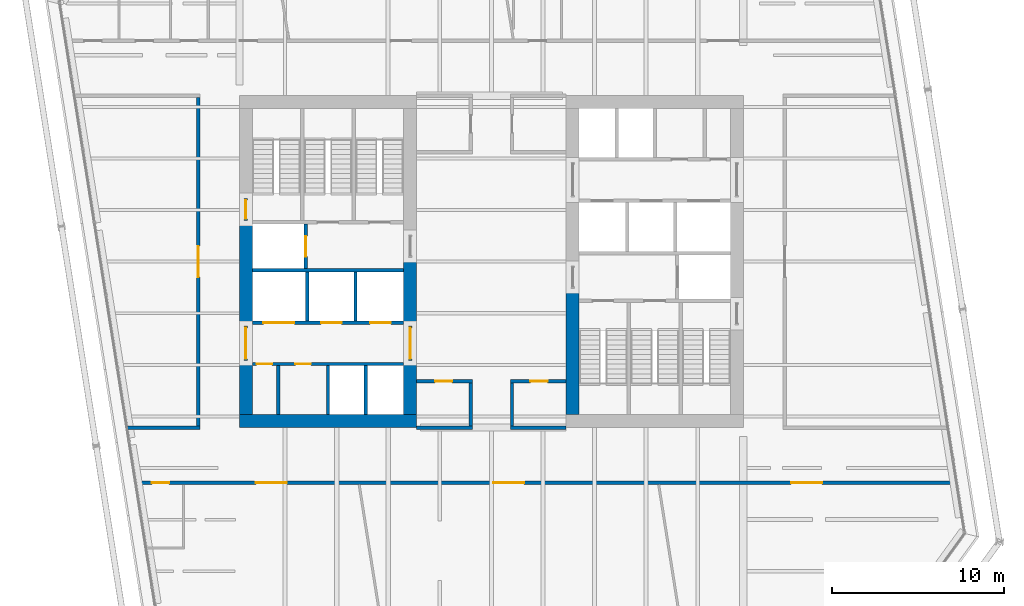
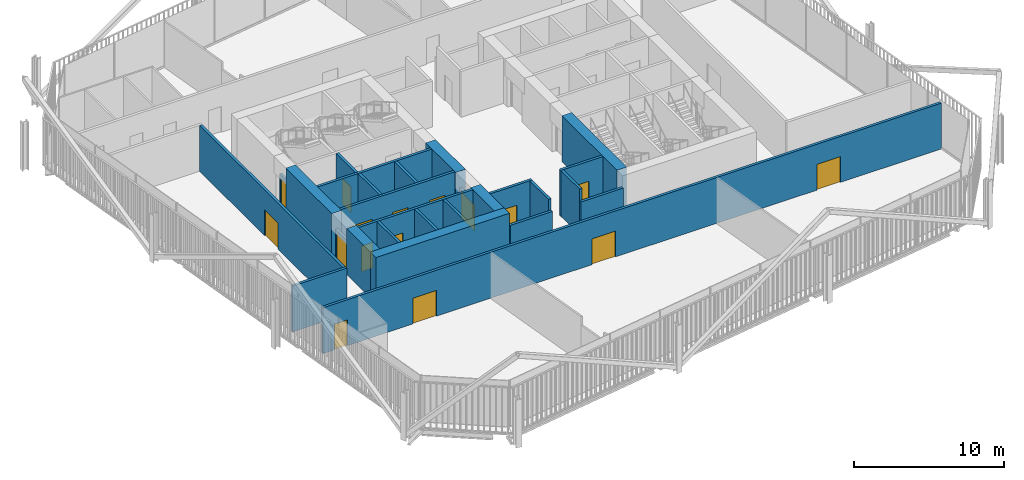
# One storey, part 15 of 19: 27 walls, 16 doors, 16 openings.
"""IFC4 building model written with IfcOpenShell, lengths in metres."""

from ifc_helpers import new_model, si_unit, direction, frame, frame_2d, origin, place, context, subcontext, project, spatial, rectangle, extrude, material, layer, layer_set, type_object, element, fill, save


model = new_model("IFC4")

# Units and contexts
model_context = context("Model", 3, precision=1e-05, world=origin(), true_north=direction((0.0, 1.0)))
body_context = subcontext(model_context, "Body", "Model", "MODEL_VIEW")
ifc_project = project(units=[si_unit("LENGTHUNIT", "METRE"), si_unit("AREAUNIT", "SQUARE_METRE"), si_unit("VOLUMEUNIT", "CUBIC_METRE"), si_unit("PLANEANGLEUNIT", "RADIAN"), si_unit("MASSUNIT", "GRAM", prefix="KILO")], contexts=[model_context])

# Site, building, storey
site_placement = place(None, origin())
site = spatial("IfcSite", under=ifc_project, at=site_placement, CompositionType="ELEMENT")
building_placement = place(site_placement, origin())
building = spatial("IfcBuilding", under=site, at=building_placement, Name="Millrace Tower", CompositionType="ELEMENT")
storey_placement = place(building_placement, frame((0.0, 0.0, 129.5)))
storey = spatial("IfcBuildingStorey", under=building, at=storey_placement, Name="L28", CompositionType="ELEMENT", Elevation=129.5)

# Walls
ifc_material_1 = material(Name="Concrete C70", Category="concrete")
ifc_layer_1 = layer(ifc_material_1, 0.75)
ifc_layer_set_1 = layer_set([ifc_layer_1], Name="Concrete C70")
wall_type_1 = type_object("IfcWallType", Name="Core wall 750 Concrete C70", PredefinedType="SHEAR", material=ifc_layer_set_1)
wall_1_placement = place(storey_placement, frame((-14.64990234375, -9.27490234375, 0.0), z_axis=(0.0, 0.0, 1.0), x_axis=(1.0, 0.0, 0.0)))
element("IfcWall", 1, at=wall_1_placement, inside=storey, type_object=wall_type_1, Name="Core wall W L28", PredefinedType="SHEAR", context=body_context, shape_type="SweptSolid", body=[
    extrude(rectangle(XDim=10.2998046875, YDim=0.75, at=frame_2d((5.14990234375, 0.0))), origin(), (0.0, 0.0, 1.0), 3.739990234375),
])
wall_2_placement = place(storey_placement, frame((-14.27490234375, -8.89990234375, 0.0), z_axis=(0.0, 0.0, 1.0), x_axis=(0.0, 1.0, 0.0)))
element("IfcWall", 2, at=wall_2_placement, inside=storey, type_object=wall_type_1, Name="Core wall W L28", PredefinedType="SHEAR", context=body_context, shape_type="SweptSolid", body=[
    extrude(rectangle(XDim=3.14990234375, YDim=0.75, at=frame_2d((1.574951171875, 0.0))), origin(), (0.0, 0.0, 1.0), 3.739990234375),
])
wall_3_placement = place(storey_placement, frame((-14.27490234375, -3.75, 0.0), z_axis=(0.0, 0.0, 1.0), x_axis=(0.0, 1.0, 0.0)))
element("IfcWall", 3, at=wall_3_placement, inside=storey, type_object=wall_type_1, Name="Core wall W L28", PredefinedType="SHEAR", context=body_context, shape_type="SweptSolid", body=[
    extrude(rectangle(XDim=6.1298828125, YDim=0.75, at=frame_2d((3.06494140625, 0.0))), origin(), (0.0, 0.0, 1.0), 3.739990234375),
])
wall_4_placement = place(storey_placement, frame((-4.72509765625, -8.89990234375, 0.0), z_axis=(0.0, 0.0, 1.0), x_axis=(0.0, 1.0, 0.0)))
element("IfcWall", 4, at=wall_4_placement, inside=storey, type_object=wall_type_1, Name="Core wall W L28", PredefinedType="SHEAR", context=body_context, shape_type="SweptSolid", body=[
    extrude(rectangle(XDim=3.14990234375, YDim=0.75, at=frame_2d((1.574951171875, 0.0))), origin(), (0.0, 0.0, 1.0), 3.739990234375),
])
wall_5_placement = place(storey_placement, frame((-4.72509765625, -3.75, 0.0), z_axis=(0.0, 0.0, 1.0), x_axis=(0.0, 1.0, 0.0)))
element("IfcWall", 5, at=wall_5_placement, inside=storey, type_object=wall_type_1, Name="Core wall W L28", PredefinedType="SHEAR", context=body_context, shape_type="SweptSolid", body=[
    extrude(rectangle(XDim=4.0, YDim=0.75, at=frame_2d((2.0, 0.0))), origin(), (0.0, 0.0, 1.0), 3.739990234375),
])
wall_6_placement = place(storey_placement, frame((4.72509765625, -1.550048828125, 0.0), z_axis=(0.0, 0.0, 1.0), x_axis=(0.0, -1.0, 0.0)))
element("IfcWall", 6, at=wall_6_placement, inside=storey, type_object=wall_type_1, Name="Core wall E L28", PredefinedType="SHEAR", context=body_context, shape_type="SweptSolid", body=[
    extrude(rectangle(XDim=7.349853515625, YDim=0.75, at=frame_2d((3.6748046875, 0.0))), origin(), (0.0, 0.0, 1.0), 3.739990234375),
])

# Wall, openings, doors
ifc_material_2 = material(Name="Masonry partition, fire-rated", Category="masonry")
ifc_layer_2 = layer(ifc_material_2, 0.199951171875)
ifc_layer_set_2 = layer_set([ifc_layer_2], Name="Masonry partition, fire-rated")
wall_type_2 = type_object("IfcWallType", Name="Corridor wall 200", PredefinedType="PARTITIONING", material=ifc_layer_set_2)
wall_7_placement = place(storey_placement, frame((-20.6435546875, -12.85009765625, 0.0), z_axis=(0.0, 0.0, 1.0), x_axis=(1.0, 0.0, 0.0)))
wall_7 = element("IfcWall", 7, at=wall_7_placement, inside=storey, type_object=wall_type_2, Name="Corridor wall L28", PredefinedType="PARTITIONING", context=body_context, shape_type="SweptSolid", body=[
    extrude(rectangle(XDim=47.646728515625, YDim=0.199951171875, at=frame_2d((23.8232421875, 0.0))), origin(), (0.0, 0.0, 1.0), 3.739990234375),
])
opening_1_placement = place(wall_7_placement, frame((6.945068359375, 0.0, 0.0)))
opening_1 = element("IfcOpeningElement", 8, at=opening_1_placement, cuts=wall_7, Name="Opening 28-P013", PredefinedType="OPENING", context=body_context, shape_type="SweptSolid", body=[
    extrude(rectangle(XDim=1.800048828125, YDim=2.10009765625, at=frame_2d((0.89990234375, 1.050048828125))), frame((0.0, 0.10986328125, 0.0), z_axis=(0.0, -1.0, 0.0), x_axis=(1.0, 0.0, 0.0)), (0.0, 0.0, 1.0), 0.219970703125),
])
opening_2_placement = place(wall_7_placement, frame((0.900390625, 0.0, 0.0)))
opening_2 = element("IfcOpeningElement", 9, at=opening_2_placement, cuts=wall_7, Name="Opening 28-P014", PredefinedType="OPENING", context=body_context, shape_type="SweptSolid", body=[
    extrude(rectangle(XDim=1.0, YDim=2.10009765625, at=frame_2d((0.5, 1.050048828125))), frame((0.0, 0.10986328125, 0.0), z_axis=(0.0, -1.0, 0.0), x_axis=(1.0, 0.0, 0.0)), (0.0, 0.0, 1.0), 0.219970703125),
])
opening_3_placement = place(wall_7_placement, frame((20.74658203125, 0.0, 0.0)))
opening_3 = element("IfcOpeningElement", 10, at=opening_3_placement, cuts=wall_7, Name="Opening 28-P015", PredefinedType="OPENING", context=body_context, shape_type="SweptSolid", body=[
    extrude(rectangle(XDim=1.800048828125, YDim=2.10009765625, at=frame_2d((0.89990234375, 1.050048828125))), frame((0.0, 0.10986328125, 0.0), z_axis=(0.0, -1.0, 0.0), x_axis=(1.0, 0.0, 0.0)), (0.0, 0.0, 1.0), 0.219970703125),
])
opening_4_placement = place(wall_7_placement, frame((38.074462890625, 0.0, 0.0)))
opening_4 = element("IfcOpeningElement", 11, at=opening_4_placement, cuts=wall_7, Name="Opening 28-P016", PredefinedType="OPENING", context=body_context, shape_type="SweptSolid", body=[
    extrude(rectangle(XDim=1.800048828125, YDim=2.10009765625, at=frame_2d((0.89990234375, 1.050048828125))), frame((0.0, 0.10986328125, 0.0), z_axis=(0.0, -1.0, 0.0), x_axis=(1.0, 0.0, 0.0)), (0.0, 0.0, 1.0), 0.219970703125),
])
ifc_material_3 = material(Name="Steel door set, fire-rated", Category="steel")
door_type_1 = type_object("IfcDoorType", Name="Corridor door 1000 x 2100", OperationType="SINGLE_SWING_LEFT", PredefinedType="DOOR", material=ifc_material_3)
door_1_placement = place(opening_2_placement, frame((1.0, 0.0, 0.0), z_axis=(0.0, 0.0, 1.0), x_axis=(-1.0, 0.0, 0.0)))
door_1 = element("IfcDoor", 12, at=door_1_placement, inside=storey, type_object=door_type_1, Name="Door 28-P014", OperationType="SINGLE_SWING_RIGHT", OverallHeight=2.10009765625, OverallWidth=1.0, PredefinedType="DOOR", context=body_context, shape_type="SweptSolid", body=[
    extrude(rectangle(XDim=1.0, YDim=2.10009765625, at=frame_2d((0.5, 1.050048828125))), frame((0.0, 0.02490234375, 0.0), z_axis=(0.0, -1.0, 0.0), x_axis=(1.0, 0.0, 0.0)), (0.0, 0.0, 1.0), 0.050048828125),
])
fill(opening_2, door_1)
ifc_material_4 = material(Name="Steel door set, fire-rated", Category="steel")
door_type_2 = type_object("IfcDoorType", Name="Corridor door 1800 x 2100", OperationType="DOUBLE_DOOR_SINGLE_SWING", PredefinedType="DOOR", material=ifc_material_4)
door_2_placement = place(opening_1_placement, origin())
door_2 = element("IfcDoor", 13, at=door_2_placement, inside=storey, type_object=door_type_2, Name="Door 28-P013", OperationType="DOUBLE_DOOR_SINGLE_SWING", OverallHeight=2.10009765625, OverallWidth=1.800048828125, PredefinedType="DOOR", context=body_context, shape_type="SweptSolid", body=[
    extrude(rectangle(XDim=1.800048828125, YDim=2.10009765625, at=frame_2d((0.89990234375, 1.050048828125))), frame((0.0, 0.02490234375, 0.0), z_axis=(0.0, -1.0, 0.0), x_axis=(1.0, 0.0, 0.0)), (0.0, 0.0, 1.0), 0.050048828125),
])
fill(opening_1, door_2)
door_3_placement = place(opening_3_placement, origin())
door_3 = element("IfcDoor", 14, at=door_3_placement, inside=storey, type_object=door_type_2, Name="Door 28-P015", OperationType="DOUBLE_DOOR_SINGLE_SWING", OverallHeight=2.10009765625, OverallWidth=1.800048828125, PredefinedType="DOOR", context=body_context, shape_type="SweptSolid", body=[
    extrude(rectangle(XDim=1.800048828125, YDim=2.10009765625, at=frame_2d((0.89990234375, 1.050048828125))), frame((0.0, 0.02490234375, 0.0), z_axis=(0.0, -1.0, 0.0), x_axis=(1.0, 0.0, 0.0)), (0.0, 0.0, 1.0), 0.050048828125),
])
fill(opening_3, door_3)
door_4_placement = place(opening_4_placement, frame((1.800048828125, 0.0, 0.0), z_axis=(0.0, 0.0, 1.0), x_axis=(-1.0, 0.0, 0.0)))
door_4 = element("IfcDoor", 15, at=door_4_placement, inside=storey, type_object=door_type_2, Name="Door 28-P016", OperationType="DOUBLE_DOOR_SINGLE_SWING", OverallHeight=2.10009765625, OverallWidth=1.800048828125, PredefinedType="DOOR", context=body_context, shape_type="SweptSolid", body=[
    extrude(rectangle(XDim=1.800048828125, YDim=2.10009765625, at=frame_2d((0.89990234375, 1.050048828125))), frame((0.0, 0.02490234375, 0.0), z_axis=(0.0, -1.0, 0.0), x_axis=(1.0, 0.0, 0.0)), (0.0, 0.0, 1.0), 0.050048828125),
])
fill(opening_4, door_4)

# Walls
wall_8_placement = place(storey_placement, frame((-21.150390625, -9.64990234375, 0.0), z_axis=(0.0, 0.0, 1.0), x_axis=(1.0, 0.0, 0.0)))
element("IfcWall", 16, at=wall_8_placement, inside=storey, type_object=wall_type_2, Name="Corridor wall L28", PredefinedType="PARTITIONING", context=body_context, shape_type="SweptSolid", body=[
    extrude(rectangle(XDim=4.200439453125, YDim=0.199951171875, at=frame_2d((2.10009765625, 0.0))), origin(), (0.0, 0.0, 1.0), 3.739990234375),
])
for number, where, z_axis, x_axis, name in (
    (17, (-4.35009765625, -9.64990234375, 0.0), (0.0, 0.0, 1.0), (1.0, 0.0, 0.0), "Corridor wall L28"),
    (18, (1.10009765625, -9.64990234375, 0.0), (0.0, 0.0, 1.0), (1.0, 0.0, 0.0), "Corridor wall L28"),
):
    element("IfcWall", number, at=place(storey_placement, frame(where, z_axis=z_axis, x_axis=x_axis)), inside=storey, type_object=wall_type_2, Name=name, PredefinedType="PARTITIONING", context=body_context, shape_type="SweptSolid", body=[
        extrude(rectangle(XDim=3.25, YDim=0.199951171875, at=frame_2d((1.625, 0.0))), origin(), (0.0, 0.0, 1.0), 2.81298828125),
    ])

# Wall, opening, door
wall_9_placement = place(storey_placement, frame((-4.35009765625, -6.949951171875, 0.0), z_axis=(0.0, 0.0, 1.0), x_axis=(1.0, 0.0, 0.0)))
wall_9 = element("IfcWall", 19, at=wall_9_placement, inside=storey, type_object=wall_type_2, Name="Corridor wall L28", PredefinedType="PARTITIONING", context=body_context, shape_type="SweptSolid", body=[
    extrude(rectangle(XDim=3.25, YDim=0.199951171875, at=frame_2d((1.625, 0.0))), origin(), (0.0, 0.0, 1.0), 3.739990234375),
])
opening_5_placement = place(wall_9_placement, frame((1.074951171875, 0.0, 0.0)))
opening_5 = element("IfcOpeningElement", 20, at=opening_5_placement, cuts=wall_9, Name="Opening 28-P003", PredefinedType="OPENING", context=body_context, shape_type="SweptSolid", body=[
    extrude(rectangle(XDim=1.0, YDim=2.10009765625, at=frame_2d((0.5, 1.050048828125))), frame((0.0, 0.10986328125, 0.0), z_axis=(0.0, -1.0, 0.0), x_axis=(1.0, 0.0, 0.0)), (0.0, 0.0, 1.0), 0.219970703125),
])
door_5_placement = place(opening_5_placement, frame((1.0, 0.0, 0.0), z_axis=(0.0, 0.0, 1.0), x_axis=(-1.0, 0.0, 0.0)))
door_5 = element("IfcDoor", 21, at=door_5_placement, inside=storey, type_object=door_type_1, Name="Door 28-P003", OperationType="SINGLE_SWING_LEFT", OverallHeight=2.10009765625, OverallWidth=1.0, PredefinedType="DOOR", context=body_context, shape_type="SweptSolid", body=[
    extrude(rectangle(XDim=1.0, YDim=2.10009765625, at=frame_2d((0.5, 1.050048828125))), frame((0.0, 0.02490234375, 0.0), z_axis=(0.0, -1.0, 0.0), x_axis=(1.0, 0.0, 0.0)), (0.0, 0.0, 1.0), 0.050048828125),
])
fill(opening_5, door_5)

wall_10_placement = place(storey_placement, frame((1.10009765625, -6.949951171875, 0.0), z_axis=(0.0, 0.0, 1.0), x_axis=(1.0, 0.0, 0.0)))
wall_10 = element("IfcWall", 22, at=wall_10_placement, inside=storey, type_object=wall_type_2, Name="Corridor wall L28", PredefinedType="PARTITIONING", context=body_context, shape_type="SweptSolid", body=[
    extrude(rectangle(XDim=3.25, YDim=0.199951171875, at=frame_2d((1.625, 0.0))), origin(), (0.0, 0.0, 1.0), 3.739990234375),
])
opening_6_placement = place(wall_10_placement, frame((1.175048828125, 0.0, 0.0)))
opening_6 = element("IfcOpeningElement", 23, at=opening_6_placement, cuts=wall_10, Name="Opening 28-P004", PredefinedType="OPENING", context=body_context, shape_type="SweptSolid", body=[
    extrude(rectangle(XDim=1.0, YDim=2.10009765625, at=frame_2d((0.5, 1.050048828125))), frame((0.0, 0.10986328125, 0.0), z_axis=(0.0, -1.0, 0.0), x_axis=(1.0, 0.0, 0.0)), (0.0, 0.0, 1.0), 0.219970703125),
])
door_6_placement = place(opening_6_placement, frame((1.0, 0.0, 0.0), z_axis=(0.0, 0.0, 1.0), x_axis=(-1.0, 0.0, 0.0)))
door_6 = element("IfcDoor", 24, at=door_6_placement, inside=storey, type_object=door_type_1, Name="Door 28-P004", OperationType="SINGLE_SWING_LEFT", OverallHeight=2.10009765625, OverallWidth=1.0, PredefinedType="DOOR", context=body_context, shape_type="SweptSolid", body=[
    extrude(rectangle(XDim=1.0, YDim=2.10009765625, at=frame_2d((0.5, 1.050048828125))), frame((0.0, 0.02490234375, 0.0), z_axis=(0.0, -1.0, 0.0), x_axis=(1.0, 0.0, 0.0)), (0.0, 0.0, 1.0), 0.050048828125),
])
fill(opening_6, door_6)

# Walls
for number, where, z_axis, x_axis, name in (
    (25, (1.199951171875, -9.550048828125, 0.0), (0.0, 0.0, 1.0), (0.0, 1.0, 0.0), "Corridor wall L28"),
    (26, (-1.199951171875, -9.550048828125, 0.0), (0.0, 0.0, 1.0), (0.0, 1.0, 0.0), "Corridor wall L28"),
):
    element("IfcWall", number, at=place(storey_placement, frame(where, z_axis=z_axis, x_axis=x_axis)), inside=storey, type_object=wall_type_2, Name=name, PredefinedType="PARTITIONING", context=body_context, shape_type="SweptSolid", body=[
        extrude(rectangle(XDim=2.5, YDim=0.199951171875, at=frame_2d((1.25, 0.0))), origin(), (0.0, 0.0, 1.0), 3.739990234375),
    ])

# Wall, opening, door
wall_11_placement = place(storey_placement, frame((-17.050048828125, -9.550048828125, 0.0), z_axis=(0.0, 0.0, 1.0), x_axis=(0.0, 1.0, 0.0)))
wall_11 = element("IfcWall", 27, at=wall_11_placement, inside=storey, type_object=wall_type_2, Name="Corridor wall L28", PredefinedType="PARTITIONING", context=body_context, shape_type="SweptSolid", body=[
    extrude(rectangle(XDim=19.10009765625, YDim=0.199951171875, at=frame_2d((9.550048828125, 0.0))), origin(), (0.0, 0.0, 1.0), 3.739990234375),
])
opening_7_placement = place(wall_11_placement, frame((8.64990234375, 0.0, 0.0)))
opening_7 = element("IfcOpeningElement", 28, at=opening_7_placement, cuts=wall_11, Name="Opening 28-P017", PredefinedType="OPENING", context=body_context, shape_type="SweptSolid", body=[
    extrude(rectangle(XDim=1.800048828125, YDim=2.10009765625, at=frame_2d((0.89990234375, 1.050048828125))), frame((0.0, 0.10986328125, 0.0), z_axis=(0.0, -1.0, 0.0), x_axis=(1.0, 0.0, 0.0)), (0.0, 0.0, 1.0), 0.219970703125),
])
door_7_placement = place(opening_7_placement, origin())
door_7 = element("IfcDoor", 29, at=door_7_placement, inside=storey, type_object=door_type_2, Name="Door 28-P017", OperationType="DOUBLE_DOOR_SINGLE_SWING", OverallHeight=2.10009765625, OverallWidth=1.800048828125, PredefinedType="DOOR", context=body_context, shape_type="SweptSolid", body=[
    extrude(rectangle(XDim=1.800048828125, YDim=2.10009765625, at=frame_2d((0.89990234375, 1.050048828125))), frame((0.0, 0.02490234375, 0.0), z_axis=(0.0, -1.0, 0.0), x_axis=(1.0, 0.0, 0.0)), (0.0, 0.0, 1.0), 0.050048828125),
])
fill(opening_7, door_7)

# Wall, openings, doors
ifc_material_5 = material(Name="Masonry partition, fire-rated", Category="masonry")
ifc_layer_3 = layer(ifc_material_5, 0.199951171875)
ifc_layer_set_3 = layer_set([ifc_layer_3], Name="Masonry partition, fire-rated")
wall_type_3 = type_object("IfcWallType", Name="Lift shaft wall 200", PredefinedType="PARTITIONING", material=ifc_layer_set_3)
wall_12_placement = place(storey_placement, frame((-13.89990234375, -5.949951171875, 0.0), z_axis=(0.0, 0.0, 1.0), x_axis=(1.0, 0.0, 0.0)))
wall_12 = element("IfcWall", 30, at=wall_12_placement, inside=storey, type_object=wall_type_3, Name="Lift shaft wall W L28", PredefinedType="PARTITIONING", context=body_context, shape_type="SweptSolid", body=[
    extrude(rectangle(XDim=8.7998046875, YDim=0.199951171875, at=frame_2d((4.39990234375, 0.0))), origin(), (0.0, 0.0, 1.0), 3.739990234375),
])
opening_8_placement = place(wall_12_placement, frame((0.25244140625, 0.0, 0.0)))
opening_8 = element("IfcOpeningElement", 31, at=opening_8_placement, cuts=wall_12, Name="Opening 28-C005", PredefinedType="OPENING", context=body_context, shape_type="SweptSolid", body=[
    extrude(rectangle(XDim=0.89990234375, YDim=2.10009765625, at=frame_2d((0.449951171875, 1.050048828125))), frame((0.0, 0.10986328125, 0.0), z_axis=(0.0, -1.0, 0.0), x_axis=(1.0, 0.0, 0.0)), (0.0, 0.0, 1.0), 0.219970703125),
])
opening_9_placement = place(wall_12_placement, frame((2.50244140625, 0.0, 0.0)))
opening_9 = element("IfcOpeningElement", 32, at=opening_9_placement, cuts=wall_12, Name="Opening 28-C006", PredefinedType="OPENING", context=body_context, shape_type="SweptSolid", body=[
    extrude(rectangle(XDim=0.89990234375, YDim=2.10009765625, at=frame_2d((0.449951171875, 1.050048828125))), frame((0.0, 0.10986328125, 0.0), z_axis=(0.0, -1.0, 0.0), x_axis=(1.0, 0.0, 0.0)), (0.0, 0.0, 1.0), 0.219970703125),
])
ifc_material_6 = material(Name="Steel door, fire-rated", Category="steel")
door_type_3 = type_object("IfcDoorType", Name="Service room door 900 x 2100", OperationType="SINGLE_SWING_LEFT", PredefinedType="DOOR", material=ifc_material_6)
door_8_placement = place(opening_8_placement, frame((0.89990234375, 0.0, 0.0), z_axis=(0.0, 0.0, 1.0), x_axis=(-1.0, 0.0, 0.0)))
door_8 = element("IfcDoor", 33, at=door_8_placement, inside=storey, type_object=door_type_3, Name="Service room door 28-C005", OperationType="SINGLE_SWING_RIGHT", OverallHeight=2.10009765625, OverallWidth=0.89990234375, PredefinedType="DOOR", context=body_context, shape_type="SweptSolid", body=[
    extrude(rectangle(XDim=0.89990234375, YDim=2.10009765625, at=frame_2d((0.449951171875, 1.050048828125))), frame((0.0, 0.02490234375, 0.0), z_axis=(0.0, -1.0, 0.0), x_axis=(1.0, 0.0, 0.0)), (0.0, 0.0, 1.0), 0.050048828125),
])
fill(opening_8, door_8)
door_9_placement = place(opening_9_placement, frame((0.89990234375, 0.0, 0.0), z_axis=(0.0, 0.0, 1.0), x_axis=(-1.0, 0.0, 0.0)))
door_9 = element("IfcDoor", 34, at=door_9_placement, inside=storey, type_object=door_type_3, Name="Service room door 28-C006", OperationType="SINGLE_SWING_RIGHT", OverallHeight=2.10009765625, OverallWidth=0.89990234375, PredefinedType="DOOR", context=body_context, shape_type="SweptSolid", body=[
    extrude(rectangle(XDim=0.89990234375, YDim=2.10009765625, at=frame_2d((0.449951171875, 1.050048828125))), frame((0.0, 0.02490234375, 0.0), z_axis=(0.0, -1.0, 0.0), x_axis=(1.0, 0.0, 0.0)), (0.0, 0.0, 1.0), 0.050048828125),
])
fill(opening_9, door_9)

wall_13_placement = place(storey_placement, frame((-13.89990234375, -3.550048828125, 0.0), z_axis=(0.0, 0.0, 1.0), x_axis=(1.0, 0.0, 0.0)))
wall_13 = element("IfcWall", 35, at=wall_13_placement, inside=storey, type_object=wall_type_3, Name="Lift shaft wall W L28", PredefinedType="PARTITIONING", context=body_context, shape_type="SweptSolid", body=[
    extrude(rectangle(XDim=8.7998046875, YDim=0.199951171875, at=frame_2d((4.39990234375, 0.0))), origin(), (0.0, 0.0, 1.0), 3.739990234375),
])
opening_10_placement = place(wall_13_placement, frame((0.64990234375, 0.0, 0.0)))
opening_10 = element("IfcOpeningElement", 36, at=opening_10_placement, cuts=wall_13, Name="Opening 28-LD05", PredefinedType="OPENING", context=body_context, shape_type="SweptSolid", body=[
    extrude(rectangle(XDim=1.800048828125, YDim=2.10009765625, at=frame_2d((0.89990234375, 1.050048828125))), frame((0.0, 0.10986328125, 0.0), z_axis=(0.0, -1.0, 0.0), x_axis=(1.0, 0.0, 0.0)), (0.0, 0.0, 1.0), 0.219970703125),
])
opening_11_placement = place(wall_13_placement, frame((4.0, 0.0, 0.0)))
opening_11 = element("IfcOpeningElement", 37, at=opening_11_placement, cuts=wall_13, Name="Opening 28-LD06", PredefinedType="OPENING", context=body_context, shape_type="SweptSolid", body=[
    extrude(rectangle(XDim=1.199951171875, YDim=2.10009765625, at=frame_2d((0.60009765625, 1.050048828125))), frame((0.0, 0.10986328125, 0.0), z_axis=(0.0, -1.0, 0.0), x_axis=(1.0, 0.0, 0.0)), (0.0, 0.0, 1.0), 0.219970703125),
])
opening_12_placement = place(wall_13_placement, frame((6.85009765625, 0.0, 0.0)))
opening_12 = element("IfcOpeningElement", 38, at=opening_12_placement, cuts=wall_13, Name="Opening 28-LD07", PredefinedType="OPENING", context=body_context, shape_type="SweptSolid", body=[
    extrude(rectangle(XDim=1.199951171875, YDim=2.10009765625, at=frame_2d((0.60009765625, 1.050048828125))), frame((0.0, 0.10986328125, 0.0), z_axis=(0.0, -1.0, 0.0), x_axis=(1.0, 0.0, 0.0)), (0.0, 0.0, 1.0), 0.219970703125),
])
ifc_material_7 = material(Name="Stainless steel, fire-rated", Category="steel")
door_type_4 = type_object("IfcDoorType", Name="Lift landing door 1200 x 2100", OperationType="DOUBLE_DOOR_SLIDING", PredefinedType="DOOR", material=ifc_material_7)
door_10_placement = place(opening_11_placement, origin())
door_10 = element("IfcDoor", 39, at=door_10_placement, inside=storey, type_object=door_type_4, Name="Lift landing door LF6 L28", OperationType="DOUBLE_DOOR_SLIDING", OverallHeight=2.10009765625, OverallWidth=1.199951171875, PredefinedType="DOOR", context=body_context, shape_type="SweptSolid", body=[
    extrude(rectangle(XDim=1.199951171875, YDim=2.10009765625, at=frame_2d((0.60009765625, 1.050048828125))), frame((0.0, 0.02490234375, 0.0), z_axis=(0.0, -1.0, 0.0), x_axis=(1.0, 0.0, 0.0)), (0.0, 0.0, 1.0), 0.050048828125),
])
fill(opening_11, door_10)
door_11_placement = place(opening_12_placement, origin())
door_11 = element("IfcDoor", 40, at=door_11_placement, inside=storey, type_object=door_type_4, Name="Lift landing door LF7 L28", OperationType="DOUBLE_DOOR_SLIDING", OverallHeight=2.10009765625, OverallWidth=1.199951171875, PredefinedType="DOOR", context=body_context, shape_type="SweptSolid", body=[
    extrude(rectangle(XDim=1.199951171875, YDim=2.10009765625, at=frame_2d((0.60009765625, 1.050048828125))), frame((0.0, 0.02490234375, 0.0), z_axis=(0.0, -1.0, 0.0), x_axis=(1.0, 0.0, 0.0)), (0.0, 0.0, 1.0), 0.050048828125),
])
fill(opening_12, door_11)
ifc_material_8 = material(Name="Stainless steel, fire-rated", Category="steel")
door_type_5 = type_object("IfcDoorType", Name="Lift landing door 1800 x 2100", OperationType="DOUBLE_DOOR_SLIDING", PredefinedType="DOOR", material=ifc_material_8)
door_12_placement = place(opening_10_placement, origin())
door_12 = element("IfcDoor", 41, at=door_12_placement, inside=storey, type_object=door_type_5, Name="Lift landing door LF5 L28", OperationType="DOUBLE_DOOR_SLIDING", OverallHeight=2.10009765625, OverallWidth=1.800048828125, PredefinedType="DOOR", context=body_context, shape_type="SweptSolid", body=[
    extrude(rectangle(XDim=1.800048828125, YDim=2.10009765625, at=frame_2d((0.89990234375, 1.050048828125))), frame((0.0, 0.02490234375, 0.0), z_axis=(0.0, -1.0, 0.0), x_axis=(1.0, 0.0, 0.0)), (0.0, 0.0, 1.0), 0.050048828125),
])
fill(opening_10, door_12)

# Wall
wall_14_placement = place(storey_placement, frame((-13.89990234375, -0.5, 0.0), z_axis=(0.0, 0.0, 1.0), x_axis=(1.0, 0.0, 0.0)))
element("IfcWall", 42, at=wall_14_placement, inside=storey, type_object=wall_type_3, Name="Lift shaft wall W L28", PredefinedType="PARTITIONING", context=body_context, shape_type="SweptSolid", body=[
    extrude(rectangle(XDim=8.7998046875, YDim=0.199951171875, at=frame_2d((4.39990234375, 0.0))), origin(), (0.0, 0.0, 1.0), 3.739990234375),
])

# Wall, opening, door
wall_15_placement = place(storey_placement, frame((-10.800048828125, -0.39990234375, 0.0), z_axis=(0.0, 0.0, 1.0), x_axis=(0.0, 1.0, 0.0)))
wall_15 = element("IfcWall", 43, at=wall_15_placement, inside=storey, type_object=wall_type_3, Name="Lift shaft wall W L28", PredefinedType="PARTITIONING", context=body_context, shape_type="SweptSolid", body=[
    extrude(rectangle(XDim=2.579833984375, YDim=0.199951171875, at=frame_2d((1.2900390625, 0.0))), origin(), (0.0, 0.0, 1.0), 3.739990234375),
])
opening_13_placement = place(wall_15_placement, frame((0.68994140625, 0.0, 0.0)))
opening_13 = element("IfcOpeningElement", 44, at=opening_13_placement, cuts=wall_15, Name="Opening 28-LD08", PredefinedType="OPENING", context=body_context, shape_type="SweptSolid", body=[
    extrude(rectangle(XDim=1.199951171875, YDim=2.10009765625, at=frame_2d((0.60009765625, 1.050048828125))), frame((0.0, 0.10986328125, 0.0), z_axis=(0.0, -1.0, 0.0), x_axis=(1.0, 0.0, 0.0)), (0.0, 0.0, 1.0), 0.219970703125),
])
door_13_placement = place(opening_13_placement, origin())
door_13 = element("IfcDoor", 45, at=door_13_placement, inside=storey, type_object=door_type_4, Name="Lift landing door LF8 L28", OperationType="DOUBLE_DOOR_SLIDING", OverallHeight=2.10009765625, OverallWidth=1.199951171875, PredefinedType="DOOR", context=body_context, shape_type="SweptSolid", body=[
    extrude(rectangle(XDim=1.199951171875, YDim=2.10009765625, at=frame_2d((0.60009765625, 1.050048828125))), frame((0.0, 0.02490234375, 0.0), z_axis=(0.0, -1.0, 0.0), x_axis=(1.0, 0.0, 0.0)), (0.0, 0.0, 1.0), 0.050048828125),
])
fill(opening_13, door_13)

# Walls
for number, where, z_axis, x_axis, name in (
    (46, (-9.5, -8.89990234375, 0.0), (0.0, 0.0, 1.0), (0.0, 1.0, 0.0), "Lift shaft wall W L28"),
    (47, (-7.300048828125, -8.89990234375, 0.0), (0.0, 0.0, 1.0), (0.0, 1.0, 0.0), "Lift shaft wall W L28"),
    (48, (-10.699951171875, -3.449951171875, 0.0), (0.0, 0.0, 1.0), (0.0, 1.0, 0.0), "Lift shaft wall W L28"),
    (49, (-7.89990234375, -3.449951171875, 0.0), (0.0, 0.0, 1.0), (0.0, 1.0, 0.0), "Lift shaft wall W L28"),
):
    element("IfcWall", number, at=place(storey_placement, frame(where, z_axis=z_axis, x_axis=x_axis)), inside=storey, type_object=wall_type_3, Name=name, PredefinedType="PARTITIONING", context=body_context, shape_type="SweptSolid", body=[
        extrude(rectangle(XDim=2.849853515625, YDim=0.199951171875, at=frame_2d((1.4248046875, 0.0))), origin(), (0.0, 0.0, 1.0), 3.739990234375),
    ])

# Wall, opening, door
ifc_material_9 = material(Name="Masonry partition, fire-rated", Category="masonry")
ifc_layer_4 = layer(ifc_material_9, 0.199951171875)
ifc_layer_set_4 = layer_set([ifc_layer_4], Name="Masonry partition, fire-rated")
wall_type_4 = type_object("IfcWallType", Name="Lobby wall 200", PredefinedType="PARTITIONING", material=ifc_layer_set_4)
wall_16_placement = place(storey_placement, frame((-14.27490234375, -5.75, 0.0), z_axis=(0.0, 0.0, 1.0), x_axis=(0.0, 1.0, 0.0)))
wall_16 = element("IfcWall", 50, at=wall_16_placement, inside=storey, type_object=wall_type_4, Name="Lobby wall W L28", PredefinedType="PARTITIONING", context=body_context, shape_type="SweptSolid", body=[
    extrude(rectangle(XDim=2.0, YDim=0.199951171875, at=frame_2d((1.0, 0.0))), origin(), (0.0, 0.0, 1.0), 2.39990234375),
])
opening_14_placement = place(wall_16_placement, frame((0.10009765625, 0.0, 0.0)))
opening_14 = element("IfcOpeningElement", 51, at=opening_14_placement, cuts=wall_16, Name="Opening 28-C001", PredefinedType="OPENING", context=body_context, shape_type="SweptSolid", body=[
    extrude(rectangle(XDim=1.800048828125, YDim=2.10009765625, at=frame_2d((0.89990234375, 1.050048828125))), frame((0.0, 0.10986328125, 0.0), z_axis=(0.0, -1.0, 0.0), x_axis=(1.0, 0.0, 0.0)), (0.0, 0.0, 1.0), 0.219970703125),
])
ifc_material_10 = material(Name="Steel door, fire-rated", Category="steel")
door_type_6 = type_object("IfcDoorType", Name="Lobby door 1800 x 2100", OperationType="DOUBLE_DOOR_SINGLE_SWING", PredefinedType="DOOR", material=ifc_material_10)
door_14_placement = place(opening_14_placement, origin())
door_14 = element("IfcDoor", 52, at=door_14_placement, inside=storey, type_object=door_type_6, Name="Lobby door 28-C001", OperationType="DOUBLE_DOOR_SINGLE_SWING", OverallHeight=2.10009765625, OverallWidth=1.800048828125, PredefinedType="DOOR", context=body_context, shape_type="SweptSolid", body=[
    extrude(rectangle(XDim=1.800048828125, YDim=2.10009765625, at=frame_2d((0.89990234375, 1.050048828125))), frame((0.0, 0.02490234375, 0.0), z_axis=(0.0, -1.0, 0.0), x_axis=(1.0, 0.0, 0.0)), (0.0, 0.0, 1.0), 0.050048828125),
])
fill(opening_14, door_14)

wall_17_placement = place(storey_placement, frame((-4.72509765625, -5.75, 0.0), z_axis=(0.0, 0.0, 1.0), x_axis=(0.0, 1.0, 0.0)))
wall_17 = element("IfcWall", 53, at=wall_17_placement, inside=storey, type_object=wall_type_4, Name="Lobby wall W L28", PredefinedType="PARTITIONING", context=body_context, shape_type="SweptSolid", body=[
    extrude(rectangle(XDim=2.0, YDim=0.199951171875, at=frame_2d((1.0, 0.0))), origin(), (0.0, 0.0, 1.0), 2.39990234375),
])
opening_15_placement = place(wall_17_placement, frame((0.10009765625, 0.0, 0.0)))
opening_15 = element("IfcOpeningElement", 54, at=opening_15_placement, cuts=wall_17, Name="Opening 28-C003", PredefinedType="OPENING", context=body_context, shape_type="SweptSolid", body=[
    extrude(rectangle(XDim=1.800048828125, YDim=2.10009765625, at=frame_2d((0.89990234375, 1.050048828125))), frame((0.0, 0.10986328125, 0.0), z_axis=(0.0, -1.0, 0.0), x_axis=(1.0, 0.0, 0.0)), (0.0, 0.0, 1.0), 0.219970703125),
])
door_15_placement = place(opening_15_placement, origin())
door_15 = element("IfcDoor", 55, at=door_15_placement, inside=storey, type_object=door_type_6, Name="Lobby door 28-C003", OperationType="DOUBLE_DOOR_SINGLE_SWING", OverallHeight=2.10009765625, OverallWidth=1.800048828125, PredefinedType="DOOR", context=body_context, shape_type="SweptSolid", body=[
    extrude(rectangle(XDim=1.800048828125, YDim=2.10009765625, at=frame_2d((0.89990234375, 1.050048828125))), frame((0.0, 0.02490234375, 0.0), z_axis=(0.0, -1.0, 0.0), x_axis=(1.0, 0.0, 0.0)), (0.0, 0.0, 1.0), 0.050048828125),
])
fill(opening_15, door_15)

# Wall
ifc_material_11 = material(Name="Masonry partition, fire-rated", Category="masonry")
ifc_layer_5 = layer(ifc_material_11, 0.199951171875)
ifc_layer_set_5 = layer_set([ifc_layer_5], Name="Masonry partition, fire-rated")
wall_type_5 = type_object("IfcWallType", Name="Room partition 200", PredefinedType="PARTITIONING", material=ifc_layer_set_5)
wall_18_placement = place(storey_placement, frame((-12.39501953125, -8.89990234375, 0.0), z_axis=(0.0, 0.0, 1.0), x_axis=(0.0, 1.0, 0.0)))
element("IfcWall", 56, at=wall_18_placement, inside=storey, type_object=wall_type_5, Name="Room partition W L28", PredefinedType="PARTITIONING", context=body_context, shape_type="SweptSolid", body=[
    extrude(rectangle(XDim=2.849853515625, YDim=0.199951171875, at=frame_2d((1.4248046875, 0.0))), origin(), (0.0, 0.0, 1.0), 3.739990234375),
])

# Wall, opening, door
ifc_material_12 = material(Name="Concrete C40", Category="concrete")
ifc_layer_6 = layer(ifc_material_12, 0.199951171875)
ifc_layer_set_6 = layer_set([ifc_layer_6], Name="Concrete C40")
wall_type_6 = type_object("IfcWallType", Name="Stair enclosure wall 200 Concrete C40", PredefinedType="SHEAR", material=ifc_layer_set_6)
wall_19_placement = place(storey_placement, frame((-14.27490234375, 2.3798828125, 0.0), z_axis=(0.0, 0.0, 1.0), x_axis=(0.0, 1.0, 0.0)))
wall_19 = element("IfcWall", 57, at=wall_19_placement, inside=storey, type_object=wall_type_6, Name="Stair enclosure wall W L28", PredefinedType="SHEAR", context=body_context, shape_type="SweptSolid", body=[
    extrude(rectangle(XDim=1.300048828125, YDim=0.199951171875, at=frame_2d((0.64990234375, 0.0))), origin(), (0.0, 0.0, 1.0), 2.39990234375),
])
opening_16_placement = place(wall_19_placement, frame((0.10009765625, 0.0, 0.0)))
opening_16 = element("IfcOpeningElement", 58, at=opening_16_placement, cuts=wall_19, Name="Opening 28-C002", PredefinedType="OPENING", context=body_context, shape_type="SweptSolid", body=[
    extrude(rectangle(XDim=1.10009765625, YDim=2.10009765625, at=frame_2d((0.550048828125, 1.050048828125))), frame((0.0, 0.10986328125, 0.0), z_axis=(0.0, -1.0, 0.0), x_axis=(1.0, 0.0, 0.0)), (0.0, 0.0, 1.0), 0.219970703125),
])
ifc_material_13 = material(Name="Steel door, fire-rated", Category="steel")
door_type_7 = type_object("IfcDoorType", Name="Stair door 1100 x 2100", OperationType="SINGLE_SWING_LEFT", PredefinedType="DOOR", material=ifc_material_13)
door_16_placement = place(opening_16_placement, origin())
door_16 = element("IfcDoor", 59, at=door_16_placement, inside=storey, type_object=door_type_7, Name="Stair door 28-C002", OperationType="SINGLE_SWING_LEFT", OverallHeight=2.10009765625, OverallWidth=1.10009765625, PredefinedType="DOOR", context=body_context, shape_type="SweptSolid", body=[
    extrude(rectangle(XDim=1.10009765625, YDim=2.10009765625, at=frame_2d((0.550048828125, 1.050048828125))), frame((0.0, 0.02490234375, 0.0), z_axis=(0.0, -1.0, 0.0), x_axis=(1.0, 0.0, 0.0)), (0.0, 0.0, 1.0), 0.050048828125),
])
fill(opening_16, door_16)

save(model, "model.ifc")
